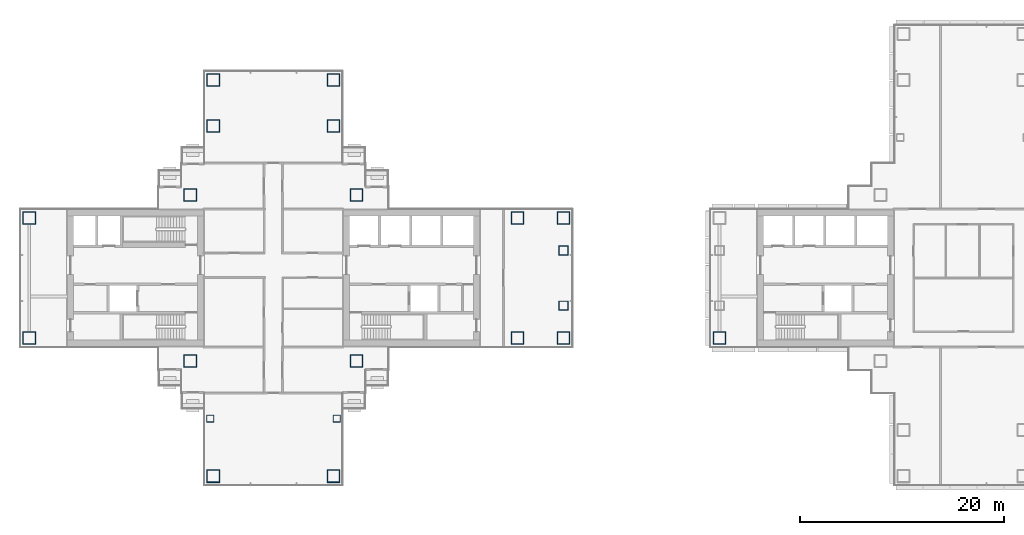
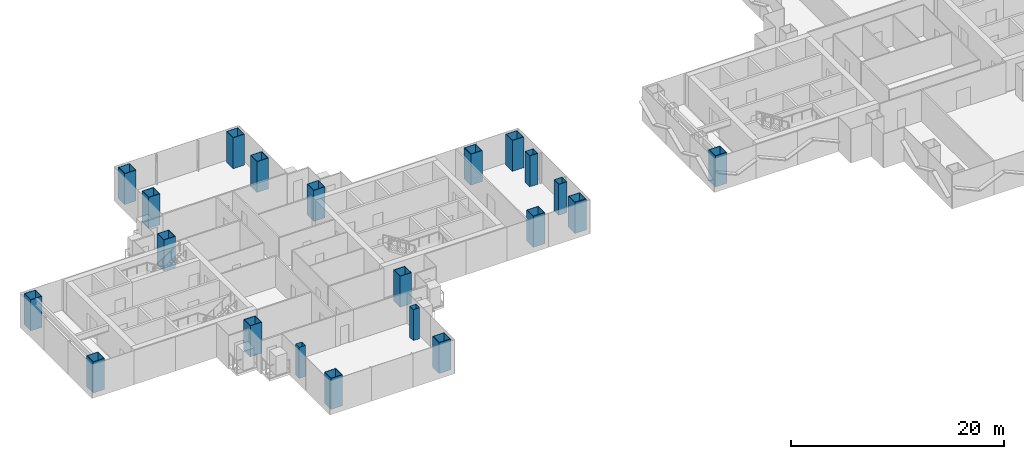
# One storey, part 1 of 20: 21 columns.
"""IFC4 building model written with IfcOpenShell, lengths in metres."""

from ifc_helpers import new_model, si_unit, direction, frame, origin, origin_2d, place, context, subcontext, project, spatial, hollow_rectangle, extrude, material, material_profile, profile_set, type_object, element, save


model = new_model("IFC4")

# Units and contexts
model_context = context("Model", 3, precision=1e-05, world=origin(), true_north=direction((0.0, 1.0)))
body_context = subcontext(model_context, "Body", "Model", "MODEL_VIEW")
ifc_project = project(units=[si_unit("LENGTHUNIT", "METRE"), si_unit("AREAUNIT", "SQUARE_METRE"), si_unit("VOLUMEUNIT", "CUBIC_METRE"), si_unit("PLANEANGLEUNIT", "RADIAN"), si_unit("MASSUNIT", "GRAM", prefix="KILO")], contexts=[model_context])

# Site, building, storey
site_placement = place(None, origin())
site = spatial("IfcSite", under=ifc_project, at=site_placement, CompositionType="ELEMENT")
building_placement = place(site_placement, origin())
building = spatial("IfcBuilding", under=site, at=building_placement, Name="Shamsa Quay Exchange Towers", CompositionType="ELEMENT")
storey_placement = place(building_placement, frame((0.0, 0.0, 105.300048828125)))
storey = spatial("IfcBuildingStorey", under=building, at=storey_placement, Name="L24", CompositionType="ELEMENT", Elevation=105.300048828125)

# Columns
ifc_material_1 = material(Name="Concrete-filled steel tube S355 / C80/95", Category="concrete")
ifc_material_profile_1 = material_profile(ifc_material_1, hollow_rectangle(XDim=1.25, YDim=1.25, WallThickness=0.050048828125, at=origin_2d()), Name="CFT 1250x1250x50")
ifc_profile_set_1 = profile_set([ifc_material_profile_1], Name="Concrete-filled steel tube S355 / C80/95")
column_type_1 = type_object("IfcColumnType", Name="Column CFT 1250x1250x50", PredefinedType="COLUMN", material=ifc_profile_set_1)
for number, where, name in (
    (1, (-25.625, 8.125, 0.0), "Mega column T1-CM01"),
    (2, (-25.625, -8.125, 0.0), "Mega column T1-CM02"),
    (3, (-41.875, 8.125, 0.0), "Mega column T1-CM03"),
    (4, (-41.875, -8.125, 0.0), "Mega column T1-CM04"),
    (5, (-9.875, -5.875, 0.0), "Mega column T1-CM05"),
    (6, (-5.375, -5.875, 0.0), "Mega column T1-CM06"),
    (7, (-9.875, 5.875, 0.0), "Mega column T1-CM07"),
    (8, (-5.375, 5.875, 0.0), "Mega column T1-CM08"),
    (9, (-57.625, -5.875, 0.0), "Mega column T1-CM09"),
    (10, (-57.625, 5.875, 0.0), "Mega column T1-CM11"),
    (11, (-39.625, 14.875, 0.0), "Mega column T1-CM13"),
    (12, (-39.625, 19.375, 0.0), "Mega column T1-CM14"),
    (13, (-27.875, 14.875, 0.0), "Mega column T1-CM16"),
    (14, (-27.875, 19.375, 0.0), "Mega column T1-CM17"),
    (15, (-39.625, -19.375, 0.0), "Mega column T1-CM20"),
    (16, (-27.875, -19.375, 0.0), "Mega column T1-CM23"),
    (17, (9.875, -5.875, 0.0), "Mega column T2-CM19"),
):
    element("IfcColumn", number, at=place(storey_placement, frame(where)), inside=storey, type_object=column_type_1, Name=name, PredefinedType="COLUMN", context=body_context, shape_type="SweptSolid", body=[
        extrude(hollow_rectangle(XDim=1.25, YDim=1.25, WallThickness=0.050048828125, at=origin_2d()), origin(), (0.0, 0.0, 1.0), 3.550048828125),
    ])
ifc_material_2 = material(Name="Concrete-filled steel tube S355 / C60/75", Category="concrete")
ifc_material_profile_2 = material_profile(ifc_material_2, hollow_rectangle(XDim=0.699951171875, YDim=0.699951171875, WallThickness=0.02490234375, at=origin_2d()), Name="CFT 700x700x25")
ifc_profile_set_2 = profile_set([ifc_material_profile_2], Name="Concrete-filled steel tube S355 / C60/75")
column_type_2 = type_object("IfcColumnType", Name="Column CFT 700x700x25", PredefinedType="COLUMN", material=ifc_profile_set_2)
for number, where, name in (
    (18, (-39.9375, -13.75, 0.0), "Perimeter column T1-CP19"),
    (19, (-27.5625, -13.75, 0.0), "Perimeter column T1-CP22"),
):
    element("IfcColumn", number, at=place(storey_placement, frame(where)), inside=storey, type_object=column_type_2, Name=name, PredefinedType="COLUMN", context=body_context, shape_type="SweptSolid", body=[
        extrude(hollow_rectangle(XDim=0.699951171875, YDim=0.699951171875, WallThickness=0.02490234375, at=origin_2d()), origin(), (0.0, 0.0, 1.0), 3.550048828125),
    ])
ifc_material_3 = material(Name="Concrete-filled steel tube S355 / C70/85", Category="concrete")
ifc_material_profile_3 = material_profile(ifc_material_3, hollow_rectangle(XDim=0.89990234375, YDim=0.89990234375, WallThickness=0.035888671875, at=origin_2d()), Name="CFT 900x900x36")
ifc_profile_set_3 = profile_set([ifc_material_profile_3], Name="Concrete-filled steel tube S355 / C70/85")
column_type_3 = type_object("IfcColumnType", Name="Landing column CFT 900x900x36", PredefinedType="COLUMN", material=ifc_profile_set_3)
for number, where, name in (
    (20, (-5.375, -2.699951171875, 0.0), "Landing column T1 S"),
    (21, (-5.375, 2.699951171875, 0.0), "Landing column T1 N"),
):
    element("IfcColumn", number, at=place(storey_placement, frame(where)), inside=storey, type_object=column_type_3, Name=name, PredefinedType="COLUMN", context=body_context, shape_type="SweptSolid", body=[
        extrude(hollow_rectangle(XDim=0.89990234375, YDim=0.89990234375, WallThickness=0.035888671875, at=origin_2d()), origin(), (0.0, 0.0, 1.0), 3.550048828125),
    ])

save(model, "model.ifc")
